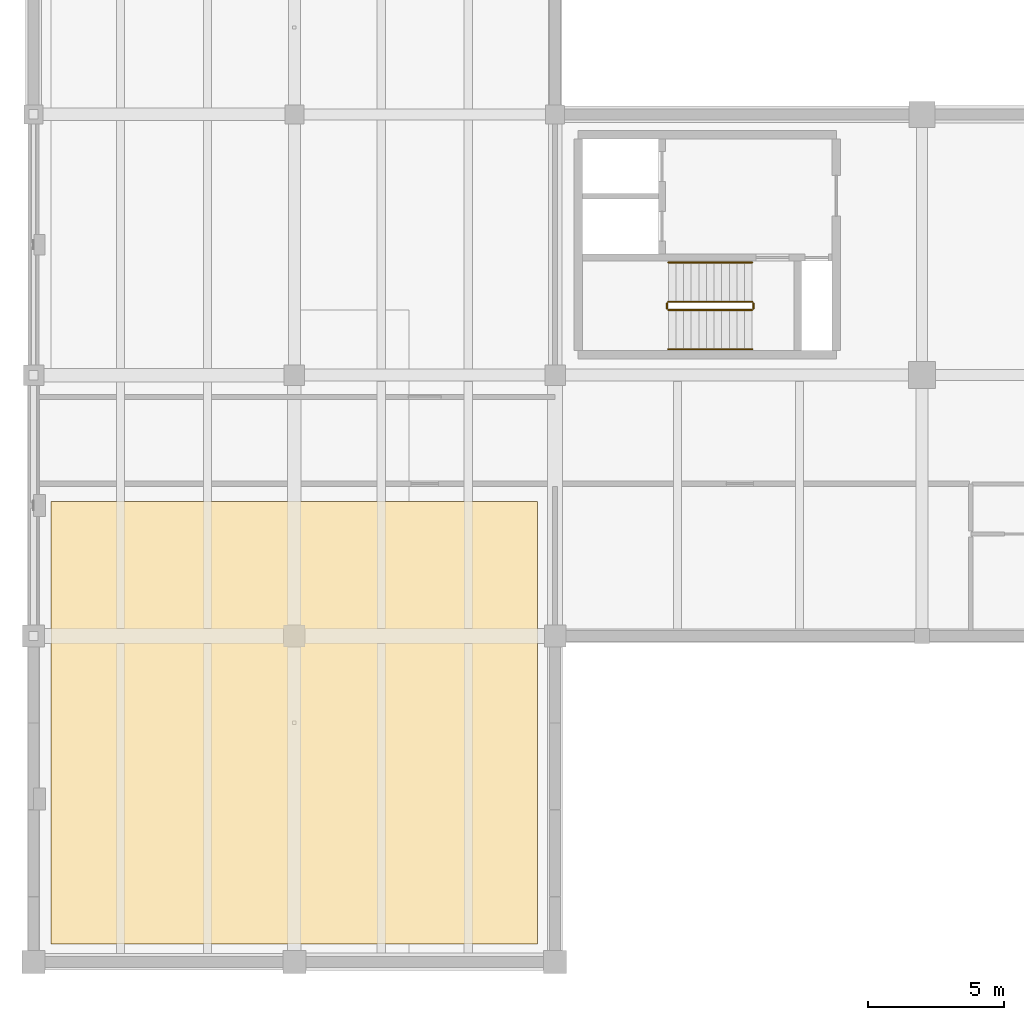
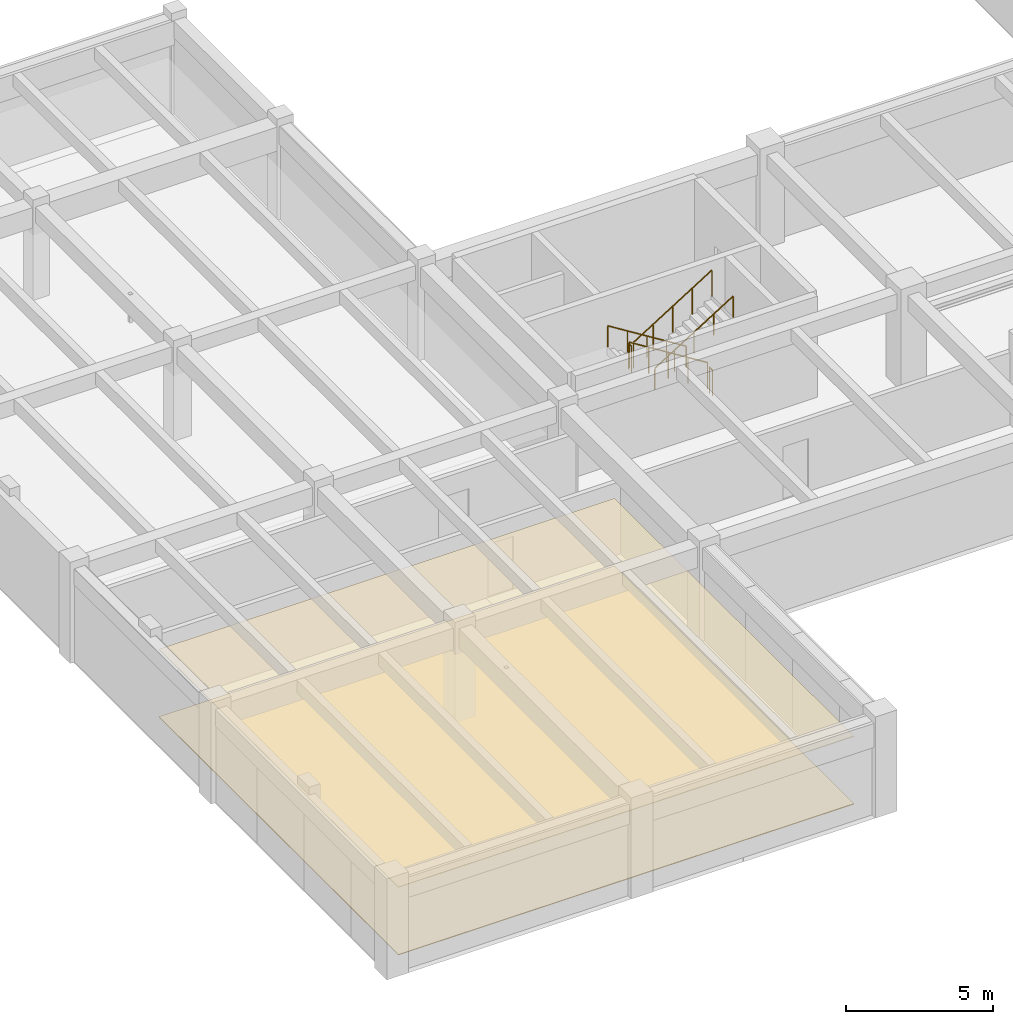
# One storey, part 21 of 28: 6 railings, 2 coverings.
"""IFC4 building model written with IfcOpenShell, lengths in metres."""

from ifc_helpers import new_model, si_unit, direction, frame, origin, origin_2d, place, context, subcontext, project, spatial, polyline, circle, outline, extrude, material, layer, layer_set, type_object, element, save


model = new_model("IFC4")

# Units and contexts
model_context = context("Model", 3, precision=1e-05, world=origin(), true_north=direction((0.0, 1.0)))
body_context = subcontext(model_context, "Body", "Model", "MODEL_VIEW")
ifc_project = project(units=[si_unit("LENGTHUNIT", "METRE"), si_unit("AREAUNIT", "SQUARE_METRE"), si_unit("VOLUMEUNIT", "CUBIC_METRE"), si_unit("PLANEANGLEUNIT", "RADIAN"), si_unit("MASSUNIT", "GRAM", prefix="KILO")], contexts=[model_context])

# Site, building, storey
site_placement = place(None, origin())
site = spatial("IfcSite", under=ifc_project, at=site_placement, CompositionType="ELEMENT")
building_placement = place(site_placement, origin())
building = spatial("IfcBuilding", under=site, at=building_placement, Name="Fikremerkos Civic Library", CompositionType="ELEMENT")
storey_placement = place(building_placement, frame((0.0, 0.0, -4.199951171875)))
storey = spatial("IfcBuildingStorey", under=building, at=storey_placement, Name="B01", CompositionType="ELEMENT", Elevation=-4.199951171875)

# Covering
ifc_material_1 = material(Name="Perforated acoustic cedar timber", Category="wood")
ifc_layer_1 = layer(ifc_material_1, 0.02490234375, Name="Perforated acoustic cedar timber")
ifc_layer_set_1 = layer_set([ifc_layer_1], Name="Perforated acoustic cedar timber")
covering_type_1 = type_object("IfcCoveringType", Name="Acoustic perforated timber ceiling CLG-01", PredefinedType="CEILING", material=ifc_layer_set_1)
covering_1_placement = place(storey_placement, frame((0.0, 0.0, 2.81005859375)))
element("IfcCovering", 1, at=covering_1_placement, inside=storey, type_object=covering_type_1, Name="Acoustic ceiling Book Binding and Repair Workshop", PredefinedType="CEILING", context=body_context, shape_type="SweptSolid", body=[
    extrude(outline(polyline([(0.64990234375, 0.64990234375), (0.64990234375, 16.949951171875), (18.550048828125, 16.949951171875), (18.550048828125, 0.64990234375), (0.64990234375, 0.64990234375)])), origin(), (0.0, 0.0, 1.0), 0.02490234375),
])

# Railings
ifc_material_2 = material(Name="Painted Steel S275", Category="steel")
railing_type_1 = type_object("IfcRailingType", Name="Interior balustrade guard RLG-INT 1100", PredefinedType="BALUSTRADE", material=ifc_material_2)
railing_1_placement = place(storey_placement, frame((26.449951171875, 24.300048828125, 0.175048828125)))
element("IfcRailing", 2, at=railing_1_placement, inside=storey, type_object=railing_type_1, Name="B01 ST-K1 stair guard 1", PredefinedType="BALUSTRADE", context=body_context, shape_type="SweptSolid", body=[
    extrude(circle(Radius=0.02392578125, at=origin_2d()), frame((0.0, 0.0, 1.076171875), z_axis=(-0.848009633417, 0.0, 0.529980812513), x_axis=(0.0, -1.0, 0.0)), (0.0, 0.0, 1.0), 3.6318359375),
    extrude(circle(Radius=0.02099609375, at=origin_2d()), origin(), (0.0, 0.0, 1.0), 1.052001953125),
    extrude(circle(Radius=0.02099609375, at=origin_2d()), frame((-0.77001953125, 0.0, 0.481201171875)), (0.0, 0.0, 1.0), 1.052001953125),
    extrude(circle(Radius=0.02099609375, at=origin_2d()), frame((-1.5400390625, 0.0, 0.96240234375)), (0.0, 0.0, 1.0), 1.052001953125),
    extrude(circle(Radius=0.02099609375, at=origin_2d()), frame((-2.309814453125, 0.0, 1.443603515625)), (0.0, 0.0, 1.0), 1.052001953125),
    extrude(circle(Radius=0.02099609375, at=origin_2d()), frame((-3.079833984375, 0.0, 1.9248046875)), (0.0, 0.0, 1.0), 1.052001953125),
])
railing_2_placement = place(storey_placement, frame((23.320068359375, 24.25, 2.099853515625)))
element("IfcRailing", 3, at=railing_2_placement, inside=storey, type_object=railing_type_1, Name="B01 ST-K1 stair guard 2", PredefinedType="BALUSTRADE", context=body_context, shape_type="SweptSolid", body=[
    extrude(circle(Radius=0.02392578125, at=origin_2d()), frame((0.0, 0.0, 1.076171875), z_axis=(0.0, -1.0, 0.0), x_axis=(1.0, 0.0, 0.0)), (0.0, 0.0, 1.0), 0.199951171875),
    extrude(circle(Radius=0.02099609375, at=origin_2d()), origin(), (0.0, 0.0, 1.0), 1.052001953125),
    extrude(circle(Radius=0.02099609375, at=origin_2d()), frame((0.0, -0.199951171875, 0.0)), (0.0, 0.0, 1.0), 1.052001953125),
])
railing_3_placement = place(storey_placement, frame((23.3701171875, 24.0, 2.27490234375)))
element("IfcRailing", 4, at=railing_3_placement, inside=storey, type_object=railing_type_1, Name="B01 ST-K1 stair guard 3", PredefinedType="BALUSTRADE", context=body_context, shape_type="SweptSolid", body=[
    extrude(circle(Radius=0.02392578125, at=origin_2d()), frame((0.0, 0.0, 1.076171875), z_axis=(0.847979421464, 0.0, 0.530029150871), x_axis=(0.0, 1.0, 0.0)), (0.0, 0.0, 1.0), 3.632080078125),
    extrude(circle(Radius=0.02099609375, at=origin_2d()), origin(), (0.0, 0.0, 1.0), 1.052001953125),
    extrude(circle(Radius=0.02099609375, at=origin_2d()), frame((0.77001953125, 0.0, 0.481201171875)), (0.0, 0.0, 1.0), 1.052001953125),
    extrude(circle(Radius=0.02099609375, at=origin_2d()), frame((1.5400390625, 0.0, 0.96240234375)), (0.0, 0.0, 1.0), 1.052001953125),
    extrude(circle(Radius=0.02099609375, at=origin_2d()), frame((2.309814453125, 0.0, 1.44384765625)), (0.0, 0.0, 1.0), 1.052001953125),
    extrude(circle(Radius=0.02099609375, at=origin_2d()), frame((3.079833984375, 0.0, 1.925048828125)), (0.0, 0.0, 1.0), 1.052001953125),
])
railing_4_placement = place(storey_placement, frame((26.5, 24.25, 0.0)))
element("IfcRailing", 5, at=railing_4_placement, inside=storey, type_object=railing_type_1, Name="B01 ST-K1 stair guard 4", PredefinedType="BALUSTRADE", context=body_context, shape_type="SweptSolid", body=[
    extrude(circle(Radius=0.02392578125, at=origin_2d()), frame((0.0, 0.0, 1.076171875), z_axis=(0.0, -1.0, 0.0), x_axis=(1.0, 0.0, 0.0)), (0.0, 0.0, 1.0), 0.199951171875),
    extrude(circle(Radius=0.02099609375, at=origin_2d()), origin(), (0.0, 0.0, 1.0), 1.052001953125),
    extrude(circle(Radius=0.02099609375, at=origin_2d()), frame((0.0, -0.199951171875, 0.0)), (0.0, 0.0, 1.0), 1.052001953125),
])

# Covering
ifc_material_3 = material(Name="Polished basalt terrazzo", Category="masonry")
ifc_layer_2 = layer(ifc_material_3, 0.030029296875, Name="Polished basalt terrazzo")
ifc_layer_set_2 = layer_set([ifc_layer_2], Name="Polished basalt terrazzo")
covering_type_2 = type_object("IfcCoveringType", Name="Polished basalt terrazzo flooring FLR-01", PredefinedType="FLOORING", material=ifc_layer_set_2)
covering_2_placement = place(storey_placement, origin())
element("IfcCovering", 6, at=covering_2_placement, inside=storey, type_object=covering_type_2, Name="Terrazzo floor finish Book Binding and Repair Workshop", PredefinedType="FLOORING", context=body_context, shape_type="SweptSolid", body=[
    extrude(outline(polyline([(0.64990234375, 0.64990234375), (0.64990234375, 16.949951171875), (18.550048828125, 16.949951171875), (18.550048828125, 0.64990234375), (0.64990234375, 0.64990234375)])), origin(), (0.0, 0.0, 1.0), 0.030029296875),
])

# Railings
ifc_material_4 = material(Name="Brushed stainless steel", Category="steel")
railing_type_2 = type_object("IfcRailingType", Name="Wall and flight handrail HRL-01 900", PredefinedType="HANDRAIL", material=ifc_material_4)
railing_5_placement = place(storey_placement, frame((26.449951171875, 25.75, 0.175048828125)))
element("IfcRailing", 7, at=railing_5_placement, inside=storey, type_object=railing_type_2, Name="B01 ST-K1 stair handrail 1", PredefinedType="HANDRAIL", context=body_context, shape_type="SweptSolid", body=[
    extrude(circle(Radius=0.02392578125, at=origin_2d()), frame((0.0, 0.0, 0.8759765625), z_axis=(-0.848009633417, 0.0, 0.529980812513), x_axis=(0.0, -1.0, 0.0)), (0.0, 0.0, 1.0), 3.6318359375),
    extrude(circle(Radius=0.02099609375, at=origin_2d()), origin(), (0.0, 0.0, 1.0), 0.851806640625),
    extrude(circle(Radius=0.02099609375, at=origin_2d()), frame((-0.77001953125, 0.0, 0.481201171875)), (0.0, 0.0, 1.0), 0.851806640625),
    extrude(circle(Radius=0.02099609375, at=origin_2d()), frame((-1.5400390625, 0.0, 0.96240234375)), (0.0, 0.0, 1.0), 0.851806640625),
    extrude(circle(Radius=0.02099609375, at=origin_2d()), frame((-2.309814453125, 0.0, 1.443603515625)), (0.0, 0.0, 1.0), 0.851806640625),
    extrude(circle(Radius=0.02099609375, at=origin_2d()), frame((-3.079833984375, 0.0, 1.9248046875)), (0.0, 0.0, 1.0), 0.851806640625),
])
railing_6_placement = place(storey_placement, frame((23.3701171875, 22.550048828125, 2.27490234375)))
element("IfcRailing", 8, at=railing_6_placement, inside=storey, type_object=railing_type_2, Name="B01 ST-K1 stair handrail 2", PredefinedType="HANDRAIL", context=body_context, shape_type="SweptSolid", body=[
    extrude(circle(Radius=0.02392578125, at=origin_2d()), frame((0.0, 0.0, 0.8759765625), z_axis=(0.847979421464, 0.0, 0.530029150871), x_axis=(0.0, 1.0, 0.0)), (0.0, 0.0, 1.0), 3.632080078125),
    extrude(circle(Radius=0.02099609375, at=origin_2d()), origin(), (0.0, 0.0, 1.0), 0.851806640625),
    extrude(circle(Radius=0.02099609375, at=origin_2d()), frame((0.77001953125, 0.0, 0.481201171875)), (0.0, 0.0, 1.0), 0.851806640625),
    extrude(circle(Radius=0.02099609375, at=origin_2d()), frame((1.5400390625, 0.0, 0.96240234375)), (0.0, 0.0, 1.0), 0.851806640625),
    extrude(circle(Radius=0.02099609375, at=origin_2d()), frame((2.309814453125, 0.0, 1.44384765625)), (0.0, 0.0, 1.0), 0.851806640625),
    extrude(circle(Radius=0.02099609375, at=origin_2d()), frame((3.079833984375, 0.0, 1.925048828125)), (0.0, 0.0, 1.0), 0.851806640625),
])

save(model, "model.ifc")
